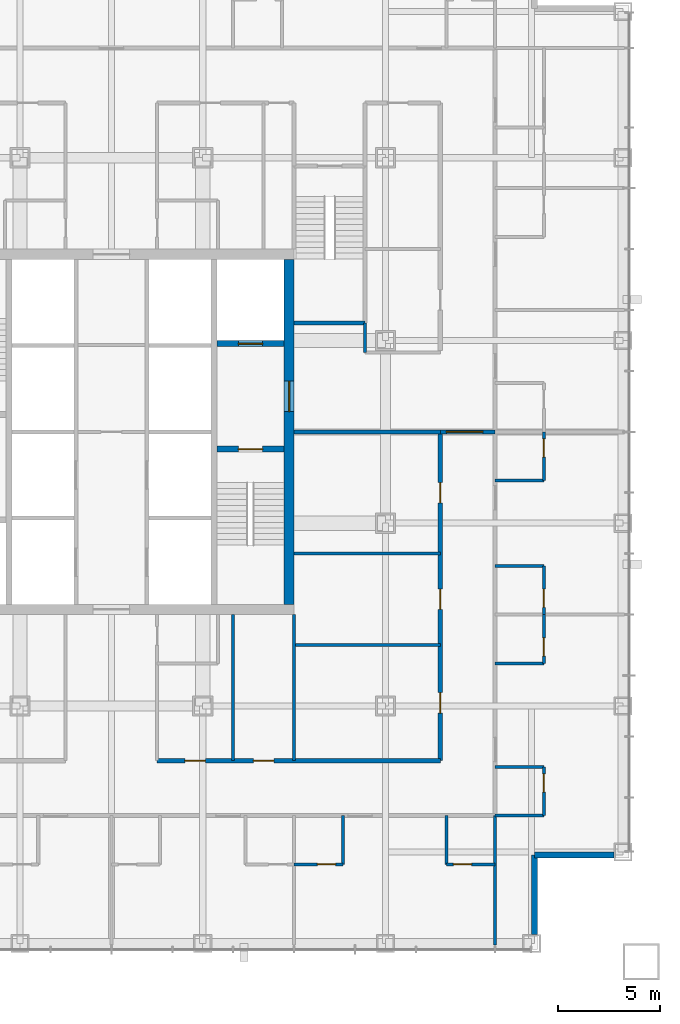
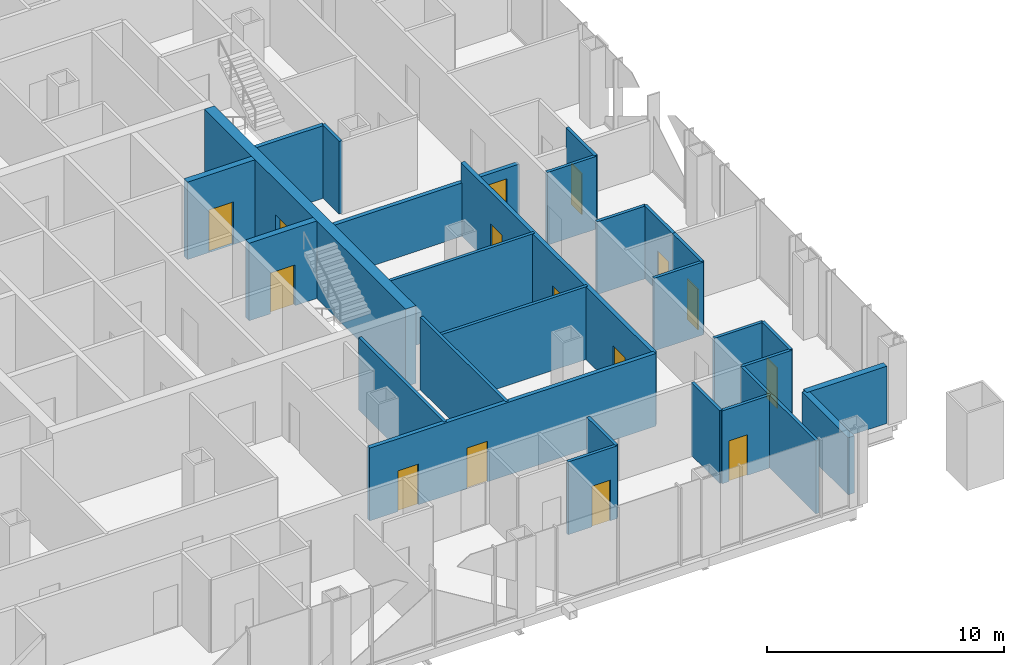
# One storey, part 9 of 13: 29 walls, 15 doors, 15 openings.
"""IFC4 building model written with IfcOpenShell, lengths in metres."""

import ifcopenshell
import ifcopenshell.guid

model = None  # the IFC model being written
_history = None  # IfcOwnerHistory: only IFC2X3 demands one
_inside = {}  # id of a spatial element -> (the spatial element, [elements in it])
_under = {}  # id of a project, library or spatial element -> (it, [spatial elements below it])
_declared = {}  # id of a project -> (the project, [libraries it declares])
_typed = {}  # id of a type object -> (the type object, [elements of that type])
_made_of = {}  # id of a material, layer set ... -> (it, [elements and type objects made of it])


def new_model(schema):
    """Start an empty IFC model of exactly this schema.

    Asked for "IFC4X3", IfcOpenShell would pick the latest addendum, in which some entities
    have other attributes; the version numbers below select the first issue.
    IFC2X3 requires an IfcOwnerHistory on every rooted entity: one is made here for all.
    """
    global model, _history
    if schema == "IFC4X3":
        model = ifcopenshell.file(schema_version=(4, 3, 0, 0))
    else:
        model = ifcopenshell.file(schema=schema)
    _inside.clear()
    _under.clear()
    _declared.clear()
    _typed.clear()
    _made_of.clear()
    _history = None
    if model.schema == "IFC2X3":
        org = make("IfcOrganization", Name="unknown")
        user = make(
            "IfcPersonAndOrganization",
            ThePerson=make("IfcPerson", FamilyName="unknown"),
            TheOrganization=org,
        )
        app = make(
            "IfcApplication",
            ApplicationDeveloper=org,
            Version="unknown",
            ApplicationFullName="unknown",
            ApplicationIdentifier="unknown",
        )
        _history = make(
            "IfcOwnerHistory",
            OwningUser=user,
            OwningApplication=app,
            ChangeAction="ADDED",
            CreationDate=0,
        )
    return model


def make(cls, **values):
    """One entity of the class cls with the attributes given. An attribute that is None is left unset."""
    return model.create_entity(
        cls, **{name: value for name, value in values.items() if value is not None}
    )


def rooted(cls, **values):
    """An entity with a GlobalId (a new one), such as an element, a storey or a relation."""
    return make(cls, GlobalId=ifcopenshell.guid.new(), OwnerHistory=_history, **values)


def si_unit(unit_type, name, prefix=None):
    """IfcSIUnit, for example si_unit("LENGTHUNIT", "METRE", prefix="MILLI")."""
    return make("IfcSIUnit", UnitType=unit_type, Prefix=prefix, Name=name)


def assignment(units):
    """IfcUnitAssignment: the units of a project."""
    return None if units is None else make("IfcUnitAssignment", Units=units)


def point(xyz):
    """IfcCartesianPoint."""
    return None if xyz is None else make("IfcCartesianPoint", Coordinates=xyz)


def direction(xyz):
    """IfcDirection."""
    return None if xyz is None else make("IfcDirection", DirectionRatios=xyz)


def frame(location, z_axis=None, x_axis=None):
    """IfcAxis2Placement3D, a coordinate frame: its origin and axes. An axis left out is left unset."""
    return make(
        "IfcAxis2Placement3D",
        Location=point(location),
        Axis=direction(z_axis),
        RefDirection=direction(x_axis),
    )


def frame_2d(location, x_axis=None):
    """IfcAxis2Placement2D, a coordinate frame in the plane: its origin and x axis."""
    return make(
        "IfcAxis2Placement2D", Location=point(location), RefDirection=direction(x_axis)
    )


def origin():
    """The frame at (0, 0, 0) with its axes left unset."""
    return frame((0.0, 0.0, 0.0))


def place(relative_to, where):
    """IfcLocalPlacement: puts the frame where relative to a parent placement (None: the world)."""
    return make(
        "IfcLocalPlacement", PlacementRelTo=relative_to, RelativePlacement=where
    )


def context(
    kind, dimensions, precision=None, world=None, true_north=None, identifier=None
):
    """IfcGeometricRepresentationContext, for example the 3D "Model" context."""
    return make(
        "IfcGeometricRepresentationContext",
        ContextIdentifier=identifier,
        ContextType=kind,
        CoordinateSpaceDimension=dimensions,
        Precision=precision,
        WorldCoordinateSystem=world,
        TrueNorth=true_north,
    )


def subcontext(parent, identifier, kind, view, scale=None):
    """IfcGeometricRepresentationSubContext, for example "Body" below "Model"."""
    return make(
        "IfcGeometricRepresentationSubContext",
        ContextIdentifier=identifier,
        ContextType=kind,
        ParentContext=parent,
        TargetScale=scale,
        TargetView=view,
    )


def project(units=None, contexts=None):
    """IfcProject with its units and contexts."""
    return rooted(
        "IfcProject",
        Name="project",
        RepresentationContexts=contexts,
        UnitsInContext=assignment(units),
    )


def spatial(cls, under=None, at=None, **own):
    """A site, building, storey or space (cls), placed at a placement, below another one or the project."""
    s = rooted(cls, ObjectPlacement=at, **own)
    if under is not None:
        _under.setdefault(under.id(), (under, []))[1].append(s)
    return s


def profile(cls, at=None, kind="AREA", **sizes):
    """A parametric profile (cls). Its sizes go by their IFC names, for example OverallWidth=200.0."""
    return make(cls, ProfileType=kind, Position=at, **sizes)


def rectangle(**sizes):
    """IfcRectangleProfileDef."""
    return profile("IfcRectangleProfileDef", **sizes)


def extrude(swept, where, along, depth):
    """IfcExtrudedAreaSolid: the profile swept, set in the frame where, extruded along a direction by depth."""
    return make(
        "IfcExtrudedAreaSolid",
        SweptArea=swept,
        Position=where,
        ExtrudedDirection=direction(along),
        Depth=depth,
    )


def shape(context_of_items, identifier, shape_type, items):
    """IfcShapeRepresentation: the items that make up one representation, for example the "Body"."""
    return make(
        "IfcShapeRepresentation",
        ContextOfItems=context_of_items,
        RepresentationIdentifier=identifier,
        RepresentationType=shape_type,
        Items=items,
    )


def material(Name=None, Category=None):
    """IfcMaterial."""
    return make("IfcMaterial", Name=Name, Category=Category)


def layer(
    of_material, thickness, ventilated=None, Name=None, Category=None, Priority=None
):
    """IfcMaterialLayer: one layer of a wall or slab, of a material (None: an air gap)."""
    return make(
        "IfcMaterialLayer",
        Material=of_material,
        LayerThickness=thickness,
        IsVentilated=ventilated,
        Name=Name,
        Category=Category,
        Priority=Priority,
    )


def layer_set(layers, Name=None):
    """IfcMaterialLayerSet."""
    return make("IfcMaterialLayerSet", MaterialLayers=layers, LayerSetName=Name)


def made_of(thing, what):
    """Note that an element or type object is made of a material, layer set ...; save() writes the relation."""
    if what is not None:
        _made_of.setdefault(what.id(), (what, []))[1].append(thing)
    return thing


def type_object(cls, material=None, **own):
    """A type object (cls), such as IfcWallType, which elements share."""
    return made_of(rooted(cls, **own), material)


def element(
    cls,
    number,
    at=None,
    inside=None,
    cuts=None,
    type_object=None,
    material=None,
    context=None,
    identifier="Body",
    shape_type=None,
    held_by="IfcProductDefinitionShape",
    body=None,
    shapes=None,
    **own,
):
    """One element of the class cls, such as IfcWall. Its Tag is "e" and its number.

    at: its placement. inside: the storey or other place that contains it. cuts: it is an
    opening in that element (IfcRelVoidsElement). A single representation is given by context,
    identifier, shape_type and body (its items); several are given by shapes. held_by: the class
    of the entity that holds the representations. save() writes the other relations.
    """
    e = rooted(cls, Tag="e%d" % number, ObjectPlacement=at, **own)
    if body is not None:
        shapes = [shape(context, identifier, shape_type, body)]
    if shapes is not None:
        e.Representation = make(held_by, Representations=shapes)
    if inside is not None:
        _inside.setdefault(inside.id(), (inside, []))[1].append(e)
    if cuts is not None:
        rooted(
            "IfcRelVoidsElement", RelatingBuildingElement=cuts, RelatedOpeningElement=e
        )
    if type_object is not None:
        _typed.setdefault(type_object.id(), (type_object, []))[1].append(e)
    return made_of(e, material)


def fill(opening, filler):
    """IfcRelFillsElement: the door or window that sits in an opening."""
    return rooted(
        "IfcRelFillsElement",
        RelatingOpeningElement=opening,
        RelatedBuildingElement=filler,
    )


def aggregate(whole, parts):
    """IfcRelAggregates: a whole, such as a stair, and the parts it consists of."""
    return rooted("IfcRelAggregates", RelatingObject=whole, RelatedObjects=parts)


def save(model, path):
    """Write the relations noted so far, then the file.

    IfcRelAggregates (storeys below a building ...), IfcRelContainedInSpatialStructure (elements
    in a storey), IfcRelDefinesByType, IfcRelAssociatesMaterial and IfcRelDeclares: one each for
    every whole, place, type object, material and project.
    """
    for whole, parts in _under.values():
        aggregate(whole, parts)
    for where, things in _inside.values():
        rooted(
            "IfcRelContainedInSpatialStructure",
            RelatedElements=things,
            RelatingStructure=where,
        )
    for kind, things in _typed.values():
        rooted("IfcRelDefinesByType", RelatedObjects=things, RelatingType=kind)
    for what, things in _made_of.values():
        rooted("IfcRelAssociatesMaterial", RelatedObjects=things, RelatingMaterial=what)
    for by, libraries in _declared.values():
        rooted("IfcRelDeclares", RelatingContext=by, RelatedDefinitions=libraries)
    model.write(path)


model = new_model("IFC4")

# Units and contexts
model_context = context("Model", 3, precision=1e-05, world=origin(), true_north=direction((0.0, 1.0)))
body_context = subcontext(model_context, "Body", "Model", "MODEL_VIEW")
ifc_project = project(units=[si_unit("LENGTHUNIT", "METRE"), si_unit("AREAUNIT", "SQUARE_METRE"), si_unit("VOLUMEUNIT", "CUBIC_METRE"), si_unit("PLANEANGLEUNIT", "RADIAN"), si_unit("MASSUNIT", "GRAM", prefix="KILO")], contexts=[model_context])

# Site, building, storey
site_placement = place(None, origin())
site = spatial("IfcSite", under=ifc_project, at=site_placement, CompositionType="ELEMENT")
building_placement = place(site_placement, origin())
building = spatial("IfcBuilding", under=site, at=building_placement, Name="Malebo Sky Hospital", CompositionType="ELEMENT")
storey_placement = place(building_placement, frame((0.0, 0.0, 75.0)))
storey = spatial("IfcBuildingStorey", under=building, at=storey_placement, Name="L17", CompositionType="ELEMENT", Elevation=75.0)

# Wall, opening, door
ifc_material_1 = material(Name="Concrete C80/95", Category="concrete")
ifc_layer_1 = layer(ifc_material_1, 0.300048828125)
ifc_layer_set_1 = layer_set([ifc_layer_1], Name="CORE INNER WALL 300")
wall_type_1 = type_object("IfcWallType", Name="CORE INNER WALL 300", PredefinedType="SHEAR", material=ifc_layer_set_1)
wall_1_placement = place(storey_placement, frame((65.199951171875, 61.14990234375, 0.0), z_axis=(0.0, 0.0, 1.0), x_axis=(1.0, 0.0, 0.0)))
wall_1 = element("IfcWall", 1, at=wall_1_placement, inside=storey, type_object=wall_type_1, Name="Core wall E1 L17", PredefinedType="SHEAR", context=body_context, shape_type="SweptSolid", body=[
    extrude(rectangle(XDim=3.300048828125, YDim=0.300048828125, at=frame_2d((1.64990234375, 0.0))), origin(), (0.0, 0.0, 1.0), 4.0),
])
opening_1_placement = place(wall_1_placement, frame((1.050048828125, 0.0, 0.0)))
opening_1 = element("IfcOpeningElement", 2, at=opening_1_placement, cuts=wall_1, Name="Opening D08", PredefinedType="OPENING", context=body_context, shape_type="SweptSolid", body=[
    extrude(rectangle(XDim=1.199951171875, YDim=2.10009765625, at=frame_2d((0.60009765625, 1.050048828125))), frame((0.0, 0.159912109375, 0.0), z_axis=(0.0, -1.0, 0.0), x_axis=(1.0, 0.0, 0.0)), (0.0, 0.0, 1.0), 0.320068359375),
])
ifc_material_2 = material(Name="Hardwood-faced door leaf in steel frame", Category="steel")
door_type_1 = type_object("IfcDoorType", Name="STAIR DOOR 1200", OperationType="SINGLE_SWING_LEFT", PredefinedType="DOOR", material=ifc_material_2)
door_1_placement = place(opening_1_placement, origin())
door_1 = element("IfcDoor", 3, at=door_1_placement, inside=storey, type_object=door_type_1, Name="Stair S2 door", OperationType="SINGLE_SWING_LEFT", OverallHeight=2.10009765625, OverallWidth=1.199951171875, PredefinedType="DOOR", context=body_context, shape_type="SweptSolid", body=[
    extrude(rectangle(XDim=1.199951171875, YDim=2.10009765625, at=frame_2d((0.60009765625, 1.050048828125))), frame((0.0, 0.02490234375, 0.0), z_axis=(0.0, -1.0, 0.0), x_axis=(1.0, 0.0, 0.0)), (0.0, 0.0, 1.0), 0.050048828125),
])
fill(opening_1, door_1)

wall_2_placement = place(storey_placement, frame((65.199951171875, 66.35009765625, 0.0), z_axis=(0.0, 0.0, 1.0), x_axis=(1.0, 0.0, 0.0)))
wall_2 = element("IfcWall", 4, at=wall_2_placement, inside=storey, type_object=wall_type_1, Name="Core wall E2 L17", PredefinedType="SHEAR", context=body_context, shape_type="SweptSolid", body=[
    extrude(rectangle(XDim=3.300048828125, YDim=0.300048828125, at=frame_2d((1.64990234375, 0.0))), origin(), (0.0, 0.0, 1.0), 4.0),
])
opening_2_placement = place(wall_2_placement, frame((1.050048828125, 0.0, 0.0)))
opening_2 = element("IfcOpeningElement", 5, at=opening_2_placement, cuts=wall_2, Name="Opening LD2", PredefinedType="OPENING", context=body_context, shape_type="SweptSolid", body=[
    extrude(rectangle(XDim=1.199951171875, YDim=2.199951171875, at=frame_2d((0.60009765625, 1.10009765625))), frame((0.0, 0.159912109375, 0.0), z_axis=(0.0, -1.0, 0.0), x_axis=(1.0, 0.0, 0.0)), (0.0, 0.0, 1.0), 0.320068359375),
])
ifc_material_3 = material(Name="Stainless steel sliding landing door", Category="steel")
door_type_2 = type_object("IfcDoorType", Name="FIRE-FIGHTING LIFT LANDING DOOR 1200", OperationType="SLIDING_TO_LEFT", PredefinedType="DOOR", material=ifc_material_3)
door_2_placement = place(opening_2_placement, origin())
door_2 = element("IfcDoor", 6, at=door_2_placement, inside=storey, type_object=door_type_2, Name="Lift FL2 landing door", OperationType="SLIDING_TO_LEFT", OverallHeight=2.199951171875, OverallWidth=1.199951171875, PredefinedType="DOOR", context=body_context, shape_type="SweptSolid", body=[
    extrude(rectangle(XDim=1.199951171875, YDim=2.199951171875, at=frame_2d((0.60009765625, 1.10009765625))), frame((0.0, 0.02490234375, 0.0), z_axis=(0.0, -1.0, 0.0), x_axis=(1.0, 0.0, 0.0)), (0.0, 0.0, 1.0), 0.050048828125),
])
fill(opening_2, door_2)

ifc_layer_2 = layer(ifc_material_1, 0.5)
ifc_layer_set_2 = layer_set([ifc_layer_2], Name="CORE WALL 500")
wall_type_2 = type_object("IfcWallType", Name="CORE WALL 500", PredefinedType="SHEAR", material=ifc_layer_set_2)
wall_3_placement = place(storey_placement, frame((68.75, 53.5, 0.0), z_axis=(0.0, 0.0, 1.0), x_axis=(0.0, 1.0, 0.0)))
wall_3 = element("IfcWall", 7, at=wall_3_placement, inside=storey, type_object=wall_type_2, Name="Core wall E L17", PredefinedType="SHEAR", context=body_context, shape_type="SweptSolid", body=[
    extrude(rectangle(XDim=17.0, YDim=0.5, at=frame_2d((8.5, 0.0))), origin(), (0.0, 0.0, 1.0), 4.0),
])
opening_3_placement = place(wall_3_placement, frame((9.5, 0.0, 0.0)))
opening_3 = element("IfcOpeningElement", 8, at=opening_3_placement, cuts=wall_3, Name="Opening D07", PredefinedType="OPENING", context=body_context, shape_type="SweptSolid", body=[
    extrude(rectangle(XDim=1.5, YDim=2.199951171875, at=frame_2d((0.75, 1.10009765625))), frame((0.0, 0.260009765625, 0.0), z_axis=(0.0, -1.0, 0.0), x_axis=(1.0, 0.0, 0.0)), (0.0, 0.0, 1.0), 0.52001953125),
])
door_type_3 = type_object("IfcDoorType", Name="FIRE-FIGHTING LOBBY DOOR PAIR 1500", OperationType="DOUBLE_DOOR_SINGLE_SWING", PredefinedType="DOOR", material=ifc_material_2)
door_3_placement = place(opening_3_placement, origin())
door_3 = element("IfcDoor", 9, at=door_3_placement, inside=storey, type_object=door_type_3, Name="Fire-fighting lobby door east", OperationType="DOUBLE_DOOR_SINGLE_SWING", OverallHeight=2.199951171875, OverallWidth=1.5, PredefinedType="DOOR", context=body_context, shape_type="SweptSolid", body=[
    extrude(rectangle(XDim=1.5, YDim=2.199951171875, at=frame_2d((0.75, 1.10009765625))), frame((0.0, 0.02490234375, 0.0), z_axis=(0.0, -1.0, 0.0), x_axis=(1.0, 0.0, 0.0)), (0.0, 0.0, 1.0), 0.050048828125),
])
fill(opening_3, door_3)

# Wall, openings, doors
ifc_material_4 = material(Name="Gypsum board on steel studs", Category="steel")
ifc_layer_3 = layer(ifc_material_4, 0.199951171875)
ifc_layer_set_3 = layer_set([ifc_layer_3], Name="CORRIDOR WALL 200")
wall_type_3 = type_object("IfcWallType", Name="CORRIDOR WALL 200", PredefinedType="PARTITIONING", material=ifc_layer_set_3)
wall_4_placement = place(storey_placement, frame((76.199951171875, 45.800048828125, 0.0), z_axis=(0.0, 0.0, 1.0), x_axis=(-1.0, 0.0, 0.0)))
wall_4 = element("IfcWall", 10, at=wall_4_placement, inside=storey, type_object=wall_type_3, Name="Corridor Wall 200 SCI1", PredefinedType="PARTITIONING", context=body_context, shape_type="SweptSolid", body=[
    extrude(rectangle(XDim=13.949951171875, YDim=0.199951171875, at=frame_2d((6.97509765625, 0.0))), origin(), (0.0, 0.0, 1.0), 3.75),
])
opening_4_placement = place(wall_4_placement, frame((8.199951171875, 0.0, 0.0)))
opening_4 = element("IfcOpeningElement", 11, at=opening_4_placement, cuts=wall_4, Name="Opening D03", PredefinedType="OPENING", context=body_context, shape_type="SweptSolid", body=[
    extrude(rectangle(XDim=1.0, YDim=2.10009765625, at=frame_2d((0.5, 1.050048828125))), frame((0.0, 0.10986328125, 0.0), z_axis=(0.0, -1.0, 0.0), x_axis=(1.0, 0.0, 0.0)), (0.0, 0.0, 1.0), 0.219970703125),
])
opening_5_placement = place(wall_4_placement, frame((11.574951171875, 0.0, 0.0)))
opening_5 = element("IfcOpeningElement", 12, at=opening_5_placement, cuts=wall_4, Name="Opening D03", PredefinedType="OPENING", context=body_context, shape_type="SweptSolid", body=[
    extrude(rectangle(XDim=1.0, YDim=2.10009765625, at=frame_2d((0.5, 1.050048828125))), frame((0.0, 0.10986328125, 0.0), z_axis=(0.0, -1.0, 0.0), x_axis=(1.0, 0.0, 0.0)), (0.0, 0.0, 1.0), 0.219970703125),
])
door_type_4 = type_object("IfcDoorType", Name="ROOM DOOR 1000", OperationType="SINGLE_SWING_LEFT", PredefinedType="DOOR", material=ifc_material_2)
door_4_placement = place(opening_4_placement, origin())
door_4 = element("IfcDoor", 13, at=door_4_placement, inside=storey, type_object=door_type_4, Name="Medication room door", OperationType="SINGLE_SWING_LEFT", OverallHeight=2.10009765625, OverallWidth=1.0, PredefinedType="DOOR", context=body_context, shape_type="SweptSolid", body=[
    extrude(rectangle(XDim=1.0, YDim=2.10009765625, at=frame_2d((0.5, 1.050048828125))), frame((0.0, 0.02490234375, 0.0), z_axis=(0.0, -1.0, 0.0), x_axis=(1.0, 0.0, 0.0)), (0.0, 0.0, 1.0), 0.050048828125),
])
fill(opening_4, door_4)
door_5_placement = place(opening_5_placement, origin())
door_5 = element("IfcDoor", 14, at=door_5_placement, inside=storey, type_object=door_type_4, Name="Assisted bathroom door", OperationType="SINGLE_SWING_LEFT", OverallHeight=2.10009765625, OverallWidth=1.0, PredefinedType="DOOR", context=body_context, shape_type="SweptSolid", body=[
    extrude(rectangle(XDim=1.0, YDim=2.10009765625, at=frame_2d((0.5, 1.050048828125))), frame((0.0, 0.02490234375, 0.0), z_axis=(0.0, -1.0, 0.0), x_axis=(1.0, 0.0, 0.0)), (0.0, 0.0, 1.0), 0.050048828125),
])
fill(opening_5, door_5)

wall_5_placement = place(storey_placement, frame((76.199951171875, 62.0, 0.0), z_axis=(0.0, 0.0, 1.0), x_axis=(0.0, -1.0, 0.0)))
wall_5 = element("IfcWall", 15, at=wall_5_placement, inside=storey, type_object=wall_type_3, Name="Corridor Wall 200 ECI2", PredefinedType="PARTITIONING", context=body_context, shape_type="SweptSolid", body=[
    extrude(rectangle(XDim=16.199951171875, YDim=0.199951171875, at=frame_2d((8.10009765625, 0.0))), origin(), (0.0, 0.0, 1.0), 3.75),
])
opening_6_placement = place(wall_5_placement, frame((2.5, 0.0, 0.0)))
opening_6 = element("IfcOpeningElement", 16, at=opening_6_placement, cuts=wall_5, Name="Opening D03", PredefinedType="OPENING", context=body_context, shape_type="SweptSolid", body=[
    extrude(rectangle(XDim=1.0, YDim=2.10009765625, at=frame_2d((0.5, 1.050048828125))), frame((0.0, 0.10986328125, 0.0), z_axis=(0.0, -1.0, 0.0), x_axis=(1.0, 0.0, 0.0)), (0.0, 0.0, 1.0), 0.219970703125),
])
opening_7_placement = place(wall_5_placement, frame((7.75, 0.0, 0.0)))
opening_7 = element("IfcOpeningElement", 17, at=opening_7_placement, cuts=wall_5, Name="Opening D03", PredefinedType="OPENING", context=body_context, shape_type="SweptSolid", body=[
    extrude(rectangle(XDim=1.0, YDim=2.10009765625, at=frame_2d((0.5, 1.050048828125))), frame((0.0, 0.10986328125, 0.0), z_axis=(0.0, -1.0, 0.0), x_axis=(1.0, 0.0, 0.0)), (0.0, 0.0, 1.0), 0.219970703125),
])
opening_8_placement = place(wall_5_placement, frame((12.85009765625, 0.0, 0.0)))
opening_8 = element("IfcOpeningElement", 18, at=opening_8_placement, cuts=wall_5, Name="Opening D03", PredefinedType="OPENING", context=body_context, shape_type="SweptSolid", body=[
    extrude(rectangle(XDim=1.0, YDim=2.10009765625, at=frame_2d((0.5, 1.050048828125))), frame((0.0, 0.10986328125, 0.0), z_axis=(0.0, -1.0, 0.0), x_axis=(1.0, 0.0, 0.0)), (0.0, 0.0, 1.0), 0.219970703125),
])
door_6_placement = place(opening_6_placement, origin())
door_6 = element("IfcDoor", 19, at=door_6_placement, inside=storey, type_object=door_type_4, Name="Treatment room door", OperationType="SINGLE_SWING_LEFT", OverallHeight=2.10009765625, OverallWidth=1.0, PredefinedType="DOOR", context=body_context, shape_type="SweptSolid", body=[
    extrude(rectangle(XDim=1.0, YDim=2.10009765625, at=frame_2d((0.5, 1.050048828125))), frame((0.0, 0.02490234375, 0.0), z_axis=(0.0, -1.0, 0.0), x_axis=(1.0, 0.0, 0.0)), (0.0, 0.0, 1.0), 0.050048828125),
])
fill(opening_6, door_6)
door_7_placement = place(opening_7_placement, origin())
door_7 = element("IfcDoor", 20, at=door_7_placement, inside=storey, type_object=door_type_4, Name="Wheelchair store door", OperationType="SINGLE_SWING_LEFT", OverallHeight=2.10009765625, OverallWidth=1.0, PredefinedType="DOOR", context=body_context, shape_type="SweptSolid", body=[
    extrude(rectangle(XDim=1.0, YDim=2.10009765625, at=frame_2d((0.5, 1.050048828125))), frame((0.0, 0.02490234375, 0.0), z_axis=(0.0, -1.0, 0.0), x_axis=(1.0, 0.0, 0.0)), (0.0, 0.0, 1.0), 0.050048828125),
])
fill(opening_7, door_7)
door_8_placement = place(opening_8_placement, origin())
door_8 = element("IfcDoor", 21, at=door_8_placement, inside=storey, type_object=door_type_4, Name="Occupational therapy kitchen door", OperationType="SINGLE_SWING_RIGHT", OverallHeight=2.10009765625, OverallWidth=1.0, PredefinedType="DOOR", context=body_context, shape_type="SweptSolid", body=[
    extrude(rectangle(XDim=1.0, YDim=2.10009765625, at=frame_2d((0.5, 1.050048828125))), frame((0.0, 0.02490234375, 0.0), z_axis=(0.0, -1.0, 0.0), x_axis=(1.0, 0.0, 0.0)), (0.0, 0.0, 1.0), 0.050048828125),
])
fill(opening_8, door_8)

# Walls
ifc_material_5 = material(Name="Anodised aluminium rainscreen on steel framing", Category="steel")
ifc_layer_4 = layer(ifc_material_5, 0.300048828125)
ifc_layer_set_4 = layer_set([ifc_layer_4], Name="NOTCH RAINSCREEN WALL 300")
wall_type_4 = type_object("IfcWallType", Name="NOTCH RAINSCREEN WALL 300", PredefinedType="ELEMENTEDWALL", material=ifc_layer_set_4)
for number, where, z_axis, x_axis, name in (
    (22, (84.75, 41.14990234375, 0.0), (0.0, 0.0, 1.0), (-1.0, 0.0, 0.0), "Notch rainscreen wall E1 L17"),
    (23, (80.85009765625, 41.14990234375, 0.0), (0.0, 0.0, 1.0), (0.0, -1.0, 0.0), "Notch rainscreen wall E2 L17"),
):
    element("IfcWall", number, at=place(storey_placement, frame(where, z_axis=z_axis, x_axis=x_axis)), inside=storey, type_object=wall_type_4, Name=name, PredefinedType="ELEMENTEDWALL", context=body_context, shape_type="SweptSolid", body=[
        extrude(rectangle(XDim=3.89990234375, YDim=0.300048828125, at=frame_2d((1.949951171875, 0.0))), origin(), (0.0, 0.0, 1.0), 2.949951171875),
    ])
ifc_layer_5 = layer(ifc_material_4, 0.14990234375)
ifc_layer_set_5 = layer_set([ifc_layer_5], Name="PARTITION 150")
wall_type_5 = type_object("IfcWallType", Name="PARTITION 150", PredefinedType="PARTITIONING", material=ifc_layer_set_5)
wall_6_placement = place(storey_placement, frame((78.89990234375, 43.10009765625, 0.0), z_axis=(0.0, 0.0, 1.0), x_axis=(0.0, -1.0, 0.0)))
element("IfcWall", 24, at=wall_6_placement, inside=storey, type_object=wall_type_5, Name="Partition 150 SP0", PredefinedType="PARTITIONING", context=body_context, shape_type="SweptSolid", body=[
    extrude(rectangle(XDim=6.375, YDim=0.14990234375, at=frame_2d((3.1875, 0.0))), origin(), (0.0, 0.0, 1.0), 3.75),
])

# Wall, opening, door
wall_7_placement = place(storey_placement, frame((71.39990234375, 40.699951171875, 0.0), z_axis=(0.0, 0.0, 1.0), x_axis=(-1.0, 0.0, 0.0)))
wall_7 = element("IfcWall", 25, at=wall_7_placement, inside=storey, type_object=wall_type_5, Name="Partition 150 SE0F", PredefinedType="PARTITIONING", context=body_context, shape_type="SweptSolid", body=[
    extrude(rectangle(XDim=2.39990234375, YDim=0.14990234375, at=frame_2d((1.199951171875, 0.0))), origin(), (0.0, 0.0, 1.0), 3.75),
])
opening_9_placement = place(wall_7_placement, frame((0.35009765625, 0.0, 0.0)))
opening_9 = element("IfcOpeningElement", 26, at=opening_9_placement, cuts=wall_7, Name="Opening D02", PredefinedType="OPENING", context=body_context, shape_type="SweptSolid", body=[
    extrude(rectangle(XDim=0.89990234375, YDim=2.10009765625, at=frame_2d((0.449951171875, 1.050048828125))), frame((0.0, 0.0849609375, 0.0), z_axis=(0.0, -1.0, 0.0), x_axis=(1.0, 0.0, 0.0)), (0.0, 0.0, 1.0), 0.169921875),
])
door_type_5 = type_object("IfcDoorType", Name="EN-SUITE DOOR 900", OperationType="SINGLE_SWING_LEFT", PredefinedType="DOOR", material=ifc_material_2)
door_9_placement = place(opening_9_placement, origin())
door_9 = element("IfcDoor", 27, at=door_9_placement, inside=storey, type_object=door_type_5, Name="En-suite door", OperationType="SINGLE_SWING_LEFT", OverallHeight=2.10009765625, OverallWidth=0.89990234375, PredefinedType="DOOR", context=body_context, shape_type="SweptSolid", body=[
    extrude(rectangle(XDim=0.89990234375, YDim=2.10009765625, at=frame_2d((0.449951171875, 1.050048828125))), frame((0.0, 0.02490234375, 0.0), z_axis=(0.0, -1.0, 0.0), x_axis=(1.0, 0.0, 0.0)), (0.0, 0.0, 1.0), 0.050048828125),
])
fill(opening_9, door_9)

# Wall
wall_8_placement = place(storey_placement, frame((71.39990234375, 43.10009765625, 0.0), z_axis=(0.0, 0.0, 1.0), x_axis=(0.0, -1.0, 0.0)))
element("IfcWall", 28, at=wall_8_placement, inside=storey, type_object=wall_type_5, Name="Partition 150 SE0S", PredefinedType="PARTITIONING", context=body_context, shape_type="SweptSolid", body=[
    extrude(rectangle(XDim=2.400146484375, YDim=0.14990234375, at=frame_2d((1.2001953125, 0.0))), origin(), (0.0, 0.0, 1.0), 3.75),
])

# Wall, opening, door
wall_9_placement = place(storey_placement, frame((78.89990234375, 40.699951171875, 0.0), z_axis=(0.0, 0.0, 1.0), x_axis=(-1.0, 0.0, 0.0)))
wall_9 = element("IfcWall", 29, at=wall_9_placement, inside=storey, type_object=wall_type_5, Name="Partition 150 SG0F", PredefinedType="PARTITIONING", context=body_context, shape_type="SweptSolid", body=[
    extrude(rectangle(XDim=2.39990234375, YDim=0.14990234375, at=frame_2d((1.199951171875, 0.0))), origin(), (0.0, 0.0, 1.0), 3.75),
])
opening_10_placement = place(wall_9_placement, frame((1.14990234375, 0.0, 0.0)))
opening_10 = element("IfcOpeningElement", 30, at=opening_10_placement, cuts=wall_9, Name="Opening D02", PredefinedType="OPENING", context=body_context, shape_type="SweptSolid", body=[
    extrude(rectangle(XDim=0.89990234375, YDim=2.10009765625, at=frame_2d((0.449951171875, 1.050048828125))), frame((0.0, 0.0849609375, 0.0), z_axis=(0.0, -1.0, 0.0), x_axis=(1.0, 0.0, 0.0)), (0.0, 0.0, 1.0), 0.169921875),
])
door_10_placement = place(opening_10_placement, origin())
door_10 = element("IfcDoor", 31, at=door_10_placement, inside=storey, type_object=door_type_5, Name="En-suite door", OperationType="SINGLE_SWING_RIGHT", OverallHeight=2.10009765625, OverallWidth=0.89990234375, PredefinedType="DOOR", context=body_context, shape_type="SweptSolid", body=[
    extrude(rectangle(XDim=0.89990234375, YDim=2.10009765625, at=frame_2d((0.449951171875, 1.050048828125))), frame((0.0, 0.02490234375, 0.0), z_axis=(0.0, -1.0, 0.0), x_axis=(1.0, 0.0, 0.0)), (0.0, 0.0, 1.0), 0.050048828125),
])
fill(opening_10, door_10)

# Walls
wall_10_placement = place(storey_placement, frame((76.5, 43.10009765625, 0.0), z_axis=(0.0, 0.0, 1.0), x_axis=(0.0, -1.0, 0.0)))
element("IfcWall", 32, at=wall_10_placement, inside=storey, type_object=wall_type_5, Name="Partition 150 SG0S", PredefinedType="PARTITIONING", context=body_context, shape_type="SweptSolid", body=[
    extrude(rectangle(XDim=2.400146484375, YDim=0.14990234375, at=frame_2d((1.2001953125, 0.0))), origin(), (0.0, 0.0, 1.0), 3.75),
])
for number, where, z_axis, x_axis, name in (
    (33, (69.0, 53.0, 0.0), (0.0, 0.0, 1.0), (0.0, -1.0, 0.0), "Partition 150 SSP0"),
    (34, (66.0, 53.0, 0.0), (0.0, 0.0, 1.0), (0.0, -1.0, 0.0), "Partition 150 SSP-6.0"),
):
    element("IfcWall", number, at=place(storey_placement, frame(where, z_axis=z_axis, x_axis=x_axis)), inside=storey, type_object=wall_type_5, Name=name, PredefinedType="PARTITIONING", context=body_context, shape_type="SweptSolid", body=[
        extrude(rectangle(XDim=7.199951171875, YDim=0.14990234375, at=frame_2d((3.60009765625, 0.0))), origin(), (0.0, 0.0, 1.0), 3.75),
    ])

# Wall, opening, door
wall_11_placement = place(storey_placement, frame((81.300048828125, 62.0, 0.0), z_axis=(0.0, 0.0, 1.0), x_axis=(0.0, -1.0, 0.0)))
wall_11 = element("IfcWall", 35, at=wall_11_placement, inside=storey, type_object=wall_type_5, Name="Partition 150 EE3F", PredefinedType="PARTITIONING", context=body_context, shape_type="SweptSolid", body=[
    extrude(rectangle(XDim=2.39990234375, YDim=0.14990234375, at=frame_2d((1.199951171875, 0.0))), origin(), (0.0, 0.0, 1.0), 3.75),
])
opening_11_placement = place(wall_11_placement, frame((0.35009765625, 0.0, 0.0)))
opening_11 = element("IfcOpeningElement", 36, at=opening_11_placement, cuts=wall_11, Name="Opening D02", PredefinedType="OPENING", context=body_context, shape_type="SweptSolid", body=[
    extrude(rectangle(XDim=0.89990234375, YDim=2.10009765625, at=frame_2d((0.449951171875, 1.050048828125))), frame((0.0, 0.0849609375, 0.0), z_axis=(0.0, -1.0, 0.0), x_axis=(1.0, 0.0, 0.0)), (0.0, 0.0, 1.0), 0.169921875),
])
door_11_placement = place(opening_11_placement, origin())
door_11 = element("IfcDoor", 37, at=door_11_placement, inside=storey, type_object=door_type_5, Name="En-suite door", OperationType="SINGLE_SWING_LEFT", OverallHeight=2.10009765625, OverallWidth=0.89990234375, PredefinedType="DOOR", context=body_context, shape_type="SweptSolid", body=[
    extrude(rectangle(XDim=0.89990234375, YDim=2.10009765625, at=frame_2d((0.449951171875, 1.050048828125))), frame((0.0, 0.02490234375, 0.0), z_axis=(0.0, -1.0, 0.0), x_axis=(1.0, 0.0, 0.0)), (0.0, 0.0, 1.0), 0.050048828125),
])
fill(opening_11, door_11)

# Wall
wall_12_placement = place(storey_placement, frame((78.89990234375, 59.60009765625, 0.0), z_axis=(0.0, 0.0, 1.0), x_axis=(1.0, 0.0, 0.0)))
element("IfcWall", 38, at=wall_12_placement, inside=storey, type_object=wall_type_5, Name="Partition 150 EE3S", PredefinedType="PARTITIONING", context=body_context, shape_type="SweptSolid", body=[
    extrude(rectangle(XDim=2.400146484375, YDim=0.14990234375, at=frame_2d((1.2001953125, 0.0))), origin(), (0.0, 0.0, 1.0), 3.75),
])

# Wall, opening, door
wall_13_placement = place(storey_placement, frame((81.300048828125, 55.39990234375, 0.0), z_axis=(0.0, 0.0, 1.0), x_axis=(0.0, -1.0, 0.0)))
wall_13 = element("IfcWall", 39, at=wall_13_placement, inside=storey, type_object=wall_type_5, Name="Partition 150 EG3F", PredefinedType="PARTITIONING", context=body_context, shape_type="SweptSolid", body=[
    extrude(rectangle(XDim=2.39990234375, YDim=0.14990234375, at=frame_2d((1.199951171875, 0.0))), origin(), (0.0, 0.0, 1.0), 3.75),
])
opening_12_placement = place(wall_13_placement, frame((1.14990234375, 0.0, 0.0)))
opening_12 = element("IfcOpeningElement", 40, at=opening_12_placement, cuts=wall_13, Name="Opening D02", PredefinedType="OPENING", context=body_context, shape_type="SweptSolid", body=[
    extrude(rectangle(XDim=0.89990234375, YDim=2.10009765625, at=frame_2d((0.449951171875, 1.050048828125))), frame((0.0, 0.0849609375, 0.0), z_axis=(0.0, -1.0, 0.0), x_axis=(1.0, 0.0, 0.0)), (0.0, 0.0, 1.0), 0.169921875),
])
door_12_placement = place(opening_12_placement, origin())
door_12 = element("IfcDoor", 41, at=door_12_placement, inside=storey, type_object=door_type_5, Name="En-suite door", OperationType="SINGLE_SWING_RIGHT", OverallHeight=2.10009765625, OverallWidth=0.89990234375, PredefinedType="DOOR", context=body_context, shape_type="SweptSolid", body=[
    extrude(rectangle(XDim=0.89990234375, YDim=2.10009765625, at=frame_2d((0.449951171875, 1.050048828125))), frame((0.0, 0.02490234375, 0.0), z_axis=(0.0, -1.0, 0.0), x_axis=(1.0, 0.0, 0.0)), (0.0, 0.0, 1.0), 0.050048828125),
])
fill(opening_12, door_12)

# Wall
wall_14_placement = place(storey_placement, frame((78.89990234375, 55.39990234375, 0.0), z_axis=(0.0, 0.0, 1.0), x_axis=(1.0, 0.0, 0.0)))
element("IfcWall", 42, at=wall_14_placement, inside=storey, type_object=wall_type_5, Name="Partition 150 EG3S", PredefinedType="PARTITIONING", context=body_context, shape_type="SweptSolid", body=[
    extrude(rectangle(XDim=2.400146484375, YDim=0.14990234375, at=frame_2d((1.2001953125, 0.0))), origin(), (0.0, 0.0, 1.0), 3.75),
])

# Wall, opening, door
wall_15_placement = place(storey_placement, frame((81.300048828125, 45.5, 0.0), z_axis=(0.0, 0.0, 1.0), x_axis=(0.0, -1.0, 0.0)))
wall_15 = element("IfcWall", 43, at=wall_15_placement, inside=storey, type_object=wall_type_5, Name="Partition 150 EE4F", PredefinedType="PARTITIONING", context=body_context, shape_type="SweptSolid", body=[
    extrude(rectangle(XDim=2.39990234375, YDim=0.14990234375, at=frame_2d((1.199951171875, 0.0))), origin(), (0.0, 0.0, 1.0), 3.75),
])
opening_13_placement = place(wall_15_placement, frame((0.35009765625, 0.0, 0.0)))
opening_13 = element("IfcOpeningElement", 44, at=opening_13_placement, cuts=wall_15, Name="Opening D02", PredefinedType="OPENING", context=body_context, shape_type="SweptSolid", body=[
    extrude(rectangle(XDim=0.89990234375, YDim=2.10009765625, at=frame_2d((0.449951171875, 1.050048828125))), frame((0.0, 0.0849609375, 0.0), z_axis=(0.0, -1.0, 0.0), x_axis=(1.0, 0.0, 0.0)), (0.0, 0.0, 1.0), 0.169921875),
])
door_13_placement = place(opening_13_placement, origin())
door_13 = element("IfcDoor", 45, at=door_13_placement, inside=storey, type_object=door_type_5, Name="En-suite door", OperationType="SINGLE_SWING_LEFT", OverallHeight=2.10009765625, OverallWidth=0.89990234375, PredefinedType="DOOR", context=body_context, shape_type="SweptSolid", body=[
    extrude(rectangle(XDim=0.89990234375, YDim=2.10009765625, at=frame_2d((0.449951171875, 1.050048828125))), frame((0.0, 0.02490234375, 0.0), z_axis=(0.0, -1.0, 0.0), x_axis=(1.0, 0.0, 0.0)), (0.0, 0.0, 1.0), 0.050048828125),
])
fill(opening_13, door_13)

# Wall
wall_16_placement = place(storey_placement, frame((78.89990234375, 45.5, 0.0), z_axis=(0.0, 0.0, 1.0), x_axis=(1.0, 0.0, 0.0)))
element("IfcWall", 46, at=wall_16_placement, inside=storey, type_object=wall_type_5, Name="Partition 150 EE4S", PredefinedType="PARTITIONING", context=body_context, shape_type="SweptSolid", body=[
    extrude(rectangle(XDim=2.400146484375, YDim=0.14990234375, at=frame_2d((1.2001953125, 0.0))), origin(), (0.0, 0.0, 1.0), 3.75),
])

# Wall, opening, door
wall_17_placement = place(storey_placement, frame((81.300048828125, 53.0, 0.0), z_axis=(0.0, 0.0, 1.0), x_axis=(0.0, -1.0, 0.0)))
wall_17 = element("IfcWall", 47, at=wall_17_placement, inside=storey, type_object=wall_type_5, Name="Partition 150 EG4F", PredefinedType="PARTITIONING", context=body_context, shape_type="SweptSolid", body=[
    extrude(rectangle(XDim=2.39990234375, YDim=0.14990234375, at=frame_2d((1.199951171875, 0.0))), origin(), (0.0, 0.0, 1.0), 3.75),
])
opening_14_placement = place(wall_17_placement, frame((1.14990234375, 0.0, 0.0)))
opening_14 = element("IfcOpeningElement", 48, at=opening_14_placement, cuts=wall_17, Name="Opening D02", PredefinedType="OPENING", context=body_context, shape_type="SweptSolid", body=[
    extrude(rectangle(XDim=0.89990234375, YDim=2.10009765625, at=frame_2d((0.449951171875, 1.050048828125))), frame((0.0, 0.0849609375, 0.0), z_axis=(0.0, -1.0, 0.0), x_axis=(1.0, 0.0, 0.0)), (0.0, 0.0, 1.0), 0.169921875),
])
door_14_placement = place(opening_14_placement, origin())
door_14 = element("IfcDoor", 49, at=door_14_placement, inside=storey, type_object=door_type_5, Name="En-suite door", OperationType="SINGLE_SWING_RIGHT", OverallHeight=2.10009765625, OverallWidth=0.89990234375, PredefinedType="DOOR", context=body_context, shape_type="SweptSolid", body=[
    extrude(rectangle(XDim=0.89990234375, YDim=2.10009765625, at=frame_2d((0.449951171875, 1.050048828125))), frame((0.0, 0.02490234375, 0.0), z_axis=(0.0, -1.0, 0.0), x_axis=(1.0, 0.0, 0.0)), (0.0, 0.0, 1.0), 0.050048828125),
])
fill(opening_14, door_14)

# Walls
for number, where, z_axis, x_axis, name in (
    (50, (78.89990234375, 50.60009765625, 0.0), (0.0, 0.0, 1.0), (1.0, 0.0, 0.0), "Partition 150 EG4S"),
    (51, (78.89990234375, 43.10009765625, 0.0), (0.0, 0.0, 1.0), (1.0, 0.0, 0.0), "Partition 150 EEZ"),
):
    element("IfcWall", number, at=place(storey_placement, frame(where, z_axis=z_axis, x_axis=x_axis)), inside=storey, type_object=wall_type_5, Name=name, PredefinedType="PARTITIONING", context=body_context, shape_type="SweptSolid", body=[
        extrude(rectangle(XDim=2.400146484375, YDim=0.14990234375, at=frame_2d((1.2001953125, 0.0))), origin(), (0.0, 0.0, 1.0), 3.75),
    ])
for number, where, z_axis, x_axis, name in (
    (52, (69.0, 56.0, 0.0), (0.0, 0.0, 1.0), (1.0, 0.0, 0.0), "Partition 150 ESP+6.0"),
    (53, (69.0, 51.5, 0.0), (0.0, 0.0, 1.0), (1.0, 0.0, 0.0), "Partition 150 ESP+10.5"),
):
    element("IfcWall", number, at=place(storey_placement, frame(where, z_axis=z_axis, x_axis=x_axis)), inside=storey, type_object=wall_type_5, Name=name, PredefinedType="PARTITIONING", context=body_context, shape_type="SweptSolid", body=[
        extrude(rectangle(XDim=7.199951171875, YDim=0.14990234375, at=frame_2d((3.60009765625, 0.0))), origin(), (0.0, 0.0, 1.0), 3.75),
    ])
wall_18_placement = place(storey_placement, frame((72.5, 65.89990234375, 0.0), z_axis=(0.0, 0.0, 1.0), x_axis=(0.0, 1.0, 0.0)))
element("IfcWall", 54, at=wall_18_placement, inside=storey, type_object=wall_type_5, Name="Partition 150 ST3C", PredefinedType="PARTITIONING", context=body_context, shape_type="SweptSolid", body=[
    extrude(rectangle(XDim=1.4501953125, YDim=0.14990234375, at=frame_2d((0.72509765625, 0.0))), origin(), (0.0, 0.0, 1.0), 3.75),
])
ifc_material_6 = material(Name="Concrete blockwork", Category="masonry")
ifc_layer_6 = layer(ifc_material_6, 0.199951171875)
ifc_layer_set_6 = layer_set([ifc_layer_6], Name="SMOKE BARRIER WALL 200")
wall_type_6 = type_object("IfcWallType", Name="SMOKE BARRIER WALL 200", PredefinedType="SOLIDWALL", material=ifc_layer_set_6)
wall_19_placement = place(storey_placement, frame((69.0, 62.0, 0.0), z_axis=(0.0, 0.0, 1.0), x_axis=(1.0, 0.0, 0.0)))
element("IfcWall", 55, at=wall_19_placement, inside=storey, type_object=wall_type_6, Name="Smoke Barrier Wall 200 ESPB", PredefinedType="SOLIDWALL", context=body_context, shape_type="SweptSolid", body=[
    extrude(rectangle(XDim=7.199951171875, YDim=0.199951171875, at=frame_2d((3.60009765625, 0.0))), origin(), (0.0, 0.0, 1.0), 2.75),
])

# Wall, opening, door
wall_20_placement = place(storey_placement, frame((76.199951171875, 62.0, 0.0), z_axis=(0.0, 0.0, 1.0), x_axis=(1.0, 0.0, 0.0)))
wall_20 = element("IfcWall", 56, at=wall_20_placement, inside=storey, type_object=wall_type_6, Name="Smoke Barrier Wall 200 ESB", PredefinedType="SOLIDWALL", context=body_context, shape_type="SweptSolid", body=[
    extrude(rectangle(XDim=2.699951171875, YDim=0.199951171875, at=frame_2d((1.35009765625, 0.0))), origin(), (0.0, 0.0, 1.0), 2.75),
])
opening_15_placement = place(wall_20_placement, frame((0.300048828125, 0.0, 0.0)))
opening_15 = element("IfcOpeningElement", 57, at=opening_15_placement, cuts=wall_20, Name="Opening D05", PredefinedType="OPENING", context=body_context, shape_type="SweptSolid", body=[
    extrude(rectangle(XDim=1.800048828125, YDim=2.199951171875, at=frame_2d((0.89990234375, 1.10009765625))), frame((0.0, 0.10986328125, 0.0), z_axis=(0.0, -1.0, 0.0), x_axis=(1.0, 0.0, 0.0)), (0.0, 0.0, 1.0), 0.219970703125),
])
door_type_6 = type_object("IfcDoorType", Name="SMOKE DOOR PAIR 1800", OperationType="DOUBLE_DOOR_DOUBLE_SWING", PredefinedType="DOOR", material=ifc_material_2)
door_15_placement = place(opening_15_placement, origin())
door_15 = element("IfcDoor", 58, at=door_15_placement, inside=storey, type_object=door_type_6, Name="Smoke compartment door pair", OperationType="DOUBLE_DOOR_DOUBLE_SWING", OverallHeight=2.199951171875, OverallWidth=1.800048828125, PredefinedType="DOOR", context=body_context, shape_type="SweptSolid", body=[
    extrude(rectangle(XDim=1.800048828125, YDim=2.199951171875, at=frame_2d((0.89990234375, 1.10009765625))), frame((0.0, 0.02490234375, 0.0), z_axis=(0.0, -1.0, 0.0), x_axis=(1.0, 0.0, 0.0)), (0.0, 0.0, 1.0), 0.050048828125),
])
fill(opening_15, door_15)

# Wall
ifc_material_7 = material(Name="Concrete C40/50", Category="concrete")
ifc_layer_7 = layer(ifc_material_7, 0.199951171875)
ifc_layer_set_7 = layer_set([ifc_layer_7], Name="STAIR ENCLOSURE WALL 200")
wall_type_7 = type_object("IfcWallType", Name="STAIR ENCLOSURE WALL 200", PredefinedType="SOLIDWALL", material=ifc_layer_set_7)
wall_21_placement = place(storey_placement, frame((69.0, 67.35009765625, 0.0), z_axis=(0.0, 0.0, 1.0), x_axis=(1.0, 0.0, 0.0)))
element("IfcWall", 59, at=wall_21_placement, inside=storey, type_object=wall_type_7, Name="Stair Enclosure Wall 200 ST3S", PredefinedType="SOLIDWALL", context=body_context, shape_type="SweptSolid", body=[
    extrude(rectangle(XDim=3.5, YDim=0.199951171875, at=frame_2d((1.75, 0.0))), origin(), (0.0, 0.0, 1.0), 3.75),
])

save(model, "model.ifc")
